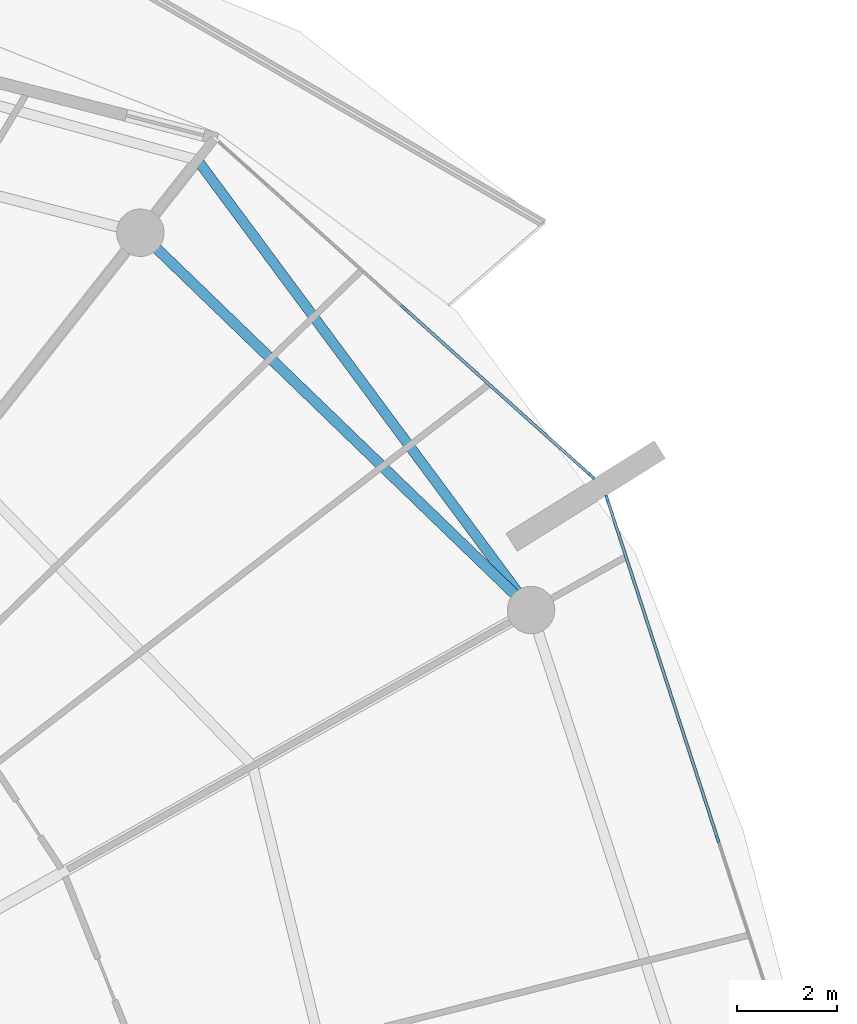
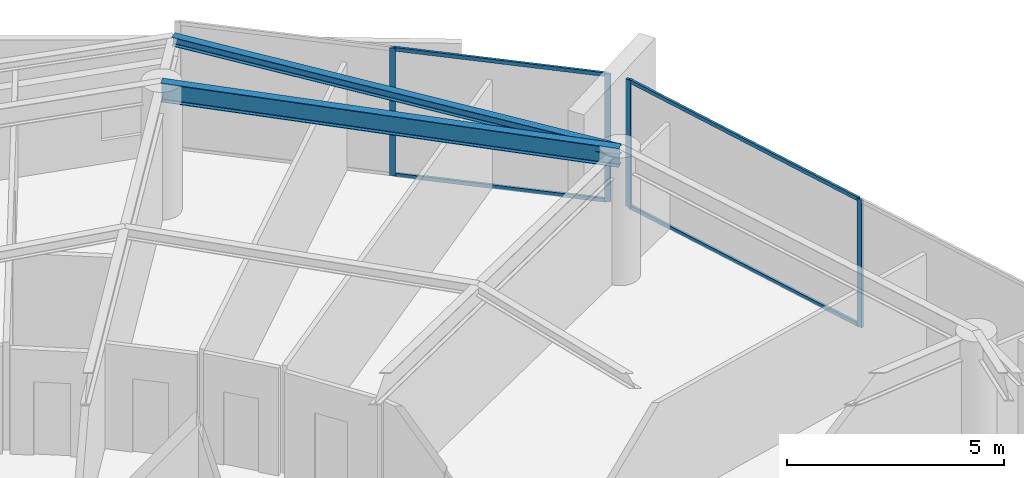
# One storey, part 15 of 30: 8 members, 2 beams, 2 elements without a shape of their own.
"""IFC4 building model written with IfcOpenShell, lengths in metres."""

from ifc_helpers import new_model, si_unit, direction, frame, origin, origin_2d, place, context, subcontext, project, spatial, rectangle, i_section, extrude, material, layer, layer_set, material_profile, profile_set, type_object, element, aggregate, save


model = new_model("IFC4")

# Units and contexts
model_context = context("Model", 3, precision=1e-05, world=origin(), true_north=direction((0.0, 1.0)))
body_context = subcontext(model_context, "Body", "Model", "MODEL_VIEW")
ifc_project = project(units=[si_unit("LENGTHUNIT", "METRE"), si_unit("AREAUNIT", "SQUARE_METRE"), si_unit("VOLUMEUNIT", "CUBIC_METRE"), si_unit("PLANEANGLEUNIT", "RADIAN"), si_unit("MASSUNIT", "GRAM", prefix="KILO")], contexts=[model_context])

# Site, building, storey
site_placement = place(None, origin())
site = spatial("IfcSite", under=ifc_project, at=site_placement, CompositionType="ELEMENT")
building_placement = place(site_placement, origin())
building = spatial("IfcBuilding", under=site, at=building_placement, Name="Kazma Halo Residences", CompositionType="ELEMENT")
storey_placement = place(building_placement, frame((0.0, 0.0, 290.60009765625)))
storey = spatial("IfcBuildingStorey", under=building, at=storey_placement, Name="L73", CompositionType="ELEMENT", Elevation=290.60009765625)

# Beams
ifc_material_1 = material(Name="Steel S355", Category="steel")
ifc_material_profile_1 = material_profile(ifc_material_1, i_section(OverallWidth=0.201904296875, OverallDepth=0.2470703125, WebThickness=0.00732421875, FlangeThickness=0.010986328125, FilletRadius=0.011962890625, at=origin_2d()), Name="W250x49.1")
ifc_profile_set_1 = profile_set([ifc_material_profile_1], Name="Steel S355")
beam_type_1 = type_object("IfcBeamType", Name="BM-BAL-CANT", PredefinedType="BEAM", material=ifc_profile_set_1)
beam_1_placement = place(storey_placement, frame((72.67041015625, 55.81591796875, 3.46630859375), z_axis=(-0.595556062515, 0.803313747176, 0.0), x_axis=(-0.803313747176, -0.595556062515, 0.0)))
element("IfcBeam", 1, at=beam_1_placement, inside=storey, type_object=beam_type_1, Name="L73 wave-balcony lead tie beam 01", PredefinedType="BEAM", context=body_context, shape_type="SweptSolid", body=[
    extrude(i_section(OverallWidth=0.201904296875, OverallDepth=0.2470703125, WebThickness=0.00732421875, FlangeThickness=0.010986328125, FilletRadius=0.011962890625, at=origin_2d()), origin(), (0.0, 0.0, 1.0), 11.213134765625),
])
ifc_material_profile_2 = material_profile(ifc_material_1, i_section(OverallWidth=0.208984375, OverallDepth=0.532958984375, WebThickness=0.01025390625, FlangeThickness=0.015625, FilletRadius=0.01611328125, at=origin_2d()), Name="W530x92")
ifc_profile_set_2 = profile_set([ifc_material_profile_2], Name="Steel S355")
beam_type_2 = type_object("IfcBeamType", Name="BM-SPN-W530", PredefinedType="BEAM", material=ifc_profile_set_2)
beam_2_placement = place(storey_placement, frame((72.67041015625, 55.81591796875, 3.323486328125), z_axis=(-0.719345757929, 0.694652201141, 0.0), x_axis=(-0.694652201141, -0.719345757929, 0.0)))
element("IfcBeam", 2, at=beam_2_placement, inside=storey, type_object=beam_type_2, Name="L73 perimeter ring beam 01", PredefinedType="BEAM", context=body_context, shape_type="SweptSolid", body=[
    extrude(i_section(OverallWidth=0.208984375, OverallDepth=0.532958984375, WebThickness=0.01025390625, FlangeThickness=0.015625, FilletRadius=0.01611328125, at=origin_2d()), origin(), (0.0, 0.0, 1.0), 10.87548828125),
])

# Curtain wall, members
ifc_material_2 = material(Name="Aluminium AW-6063 T6 and Triple-Silver Low-E Glass", Category="aluminium")
ifc_layer = layer(ifc_material_2, 0.139892578125)
ifc_layer_set = layer_set([ifc_layer], Name="Aluminium AW-6063 T6 and Triple-Silver Low-E Glass")
curtain_wall_type = type_object("IfcCurtainWallType", Name="CW-SYS-5", PredefinedType="NOTDEFINED", material=ifc_layer_set)
curtain_wall_1_placement = place(storey_placement, origin())
curtain_wall_1 = element("IfcCurtainWall", 3, at=curtain_wall_1_placement, inside=storey, type_object=curtain_wall_type, Name="L73 unitised curtain wall B01", PredefinedType="NOTDEFINED")
ifc_material_3 = material(Name="Aluminium AW-6063 T6", Category="aluminium")
ifc_material_profile_3 = material_profile(ifc_material_3, rectangle(XDim=0.06005859375, YDim=0.139892578125, at=origin_2d()), Name="CWM-60x140")
ifc_profile_set_3 = profile_set([ifc_material_profile_3], Name="Aluminium AW-6063 T6")
member_type_1 = type_object("IfcMemberType", Name="CW-SYS-5-MUL", PredefinedType="MULLION", material=ifc_profile_set_3)
member_1_placement = place(storey_placement, frame((73.88330078125, 58.491943359375, 0.0), z_axis=(0.0, 0.0, 1.0), x_axis=(-0.667804826958, -0.744336424671, 0.0)))
member_1 = element("IfcMember", 4, at=member_1_placement, type_object=member_type_1, Name="CWS-5 mullion 1", PredefinedType="MULLION", context=body_context, shape_type="SweptSolid", body=[
    extrude(rectangle(XDim=0.06005859375, YDim=0.139892578125, at=origin_2d()), origin(), (0.0, 0.0, 1.0), 3.58984375),
])
member_2_placement = place(storey_placement, frame((70.121826171875, 61.86669921875, 0.0), z_axis=(0.0, 0.0, 1.0), x_axis=(-0.667804826958, -0.744336424671, 0.0)))
member_2 = element("IfcMember", 5, at=member_2_placement, type_object=member_type_1, Name="CWS-5 mullion 2", PredefinedType="MULLION", context=body_context, shape_type="SweptSolid", body=[
    extrude(rectangle(XDim=0.06005859375, YDim=0.139892578125, at=origin_2d()), origin(), (0.0, 0.0, 1.0), 3.58984375),
])

curtain_wall_2_placement = place(storey_placement, origin())
curtain_wall_2 = element("IfcCurtainWall", 6, at=curtain_wall_2_placement, inside=storey, type_object=curtain_wall_type, Name="L73 unitised curtain wall B16", PredefinedType="NOTDEFINED")
member_3_placement = place(storey_placement, frame((76.40771484375, 51.230224609375, 0.0), z_axis=(0.0, 0.0, 1.0), x_axis=(-0.951058464359, -0.309010998786, 0.0)))
member_3 = element("IfcMember", 7, at=member_3_placement, type_object=member_type_1, Name="CWS-5 mullion 2", PredefinedType="MULLION", context=body_context, shape_type="SweptSolid", body=[
    extrude(rectangle(XDim=0.06005859375, YDim=0.139892578125, at=origin_2d()), origin(), (0.0, 0.0, 1.0), 3.58984375),
])
member_4_placement = place(storey_placement, frame((74.1923828125, 58.0478515625, 0.0), z_axis=(0.0, 0.0, 1.0), x_axis=(-0.951058464359, -0.309010998786, 0.0)))
member_4 = element("IfcMember", 8, at=member_4_placement, type_object=member_type_1, Name="CWS-5 mullion 3", PredefinedType="MULLION", context=body_context, shape_type="SweptSolid", body=[
    extrude(rectangle(XDim=0.06005859375, YDim=0.139892578125, at=origin_2d()), origin(), (0.0, 0.0, 1.0), 3.58984375),
])

# Member
ifc_material_profile_4 = material_profile(ifc_material_3, rectangle(XDim=0.06005859375, YDim=0.10498046875, at=origin_2d()), Name="CWT-60x105")
ifc_profile_set_4 = profile_set([ifc_material_profile_4], Name="Aluminium AW-6063 T6")
member_type_2 = type_object("IfcMemberType", Name="CW-SYS-5-TRN", PredefinedType="USERDEFINED", material=ifc_profile_set_4)
member_5_placement = place(storey_placement, frame((73.861083984375, 58.511962890625, 0.02978515625), z_axis=(-0.744328897483, 0.667813216679, 0.0), x_axis=(-0.667813216679, -0.744328897483, 0.0)))
member_5 = element("IfcMember", 9, at=member_5_placement, type_object=member_type_2, Name="CWS-5 transom 1.1", ObjectType="TRANSOM", PredefinedType="USERDEFINED", context=body_context, shape_type="SweptSolid", body=[
    extrude(rectangle(XDim=0.06005859375, YDim=0.10498046875, at=origin_2d()), origin(), (0.0, 0.0, 1.0), 4.993408203125),
])

member_6_placement = place(storey_placement, frame((73.861083984375, 58.511962890625, 3.559814453125), z_axis=(-0.744328897483, 0.667813216679, 0.0), x_axis=(-0.667813216679, -0.744328897483, 0.0)))
member_6 = element("IfcMember", 10, at=member_6_placement, type_object=member_type_2, Name="CWS-5 transom 1.2", ObjectType="TRANSOM", PredefinedType="USERDEFINED", context=body_context, shape_type="SweptSolid", body=[
    extrude(rectangle(XDim=0.06005859375, YDim=0.10498046875, at=origin_2d()), origin(), (0.0, 0.0, 1.0), 4.993408203125),
])

aggregate(curtain_wall_1, [member_1, member_2, member_5, member_6])

member_7_placement = place(storey_placement, frame((76.3984375, 51.2587890625, 0.02978515625), z_axis=(-0.309027052142, 0.95105324827, 0.0), x_axis=(-0.95105324827, -0.309027052142, 0.0)))
member_7 = element("IfcMember", 11, at=member_7_placement, type_object=member_type_2, Name="CWS-5 transom 2.1", ObjectType="TRANSOM", PredefinedType="USERDEFINED", context=body_context, shape_type="SweptSolid", body=[
    extrude(rectangle(XDim=0.06005859375, YDim=0.10498046875, at=origin_2d()), origin(), (0.0, 0.0, 1.0), 7.108642578125),
])

member_8_placement = place(storey_placement, frame((76.3984375, 51.2587890625, 3.559814453125), z_axis=(-0.309027052142, 0.95105324827, 0.0), x_axis=(-0.95105324827, -0.309027052142, 0.0)))
member_8 = element("IfcMember", 12, at=member_8_placement, type_object=member_type_2, Name="CWS-5 transom 2.2", ObjectType="TRANSOM", PredefinedType="USERDEFINED", context=body_context, shape_type="SweptSolid", body=[
    extrude(rectangle(XDim=0.06005859375, YDim=0.10498046875, at=origin_2d()), origin(), (0.0, 0.0, 1.0), 7.108642578125),
])

aggregate(curtain_wall_2, [member_3, member_4, member_7, member_8])

save(model, "model.ifc")
